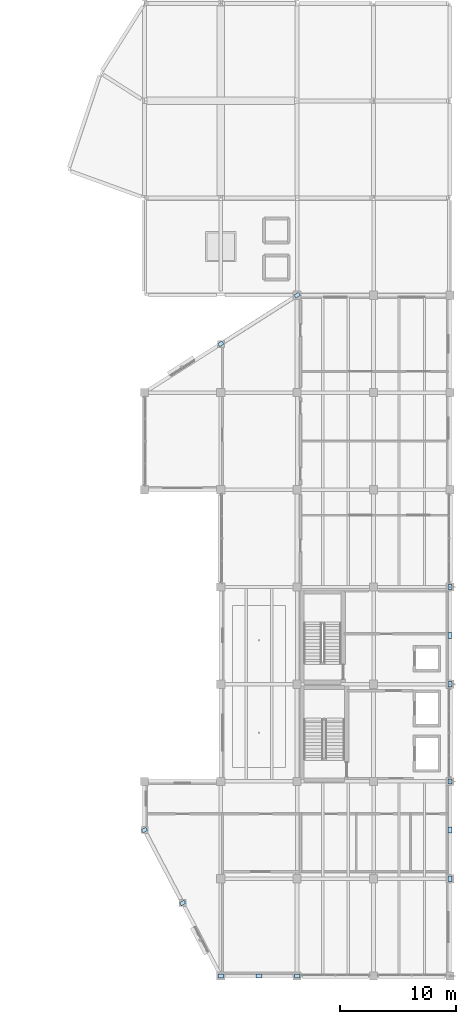
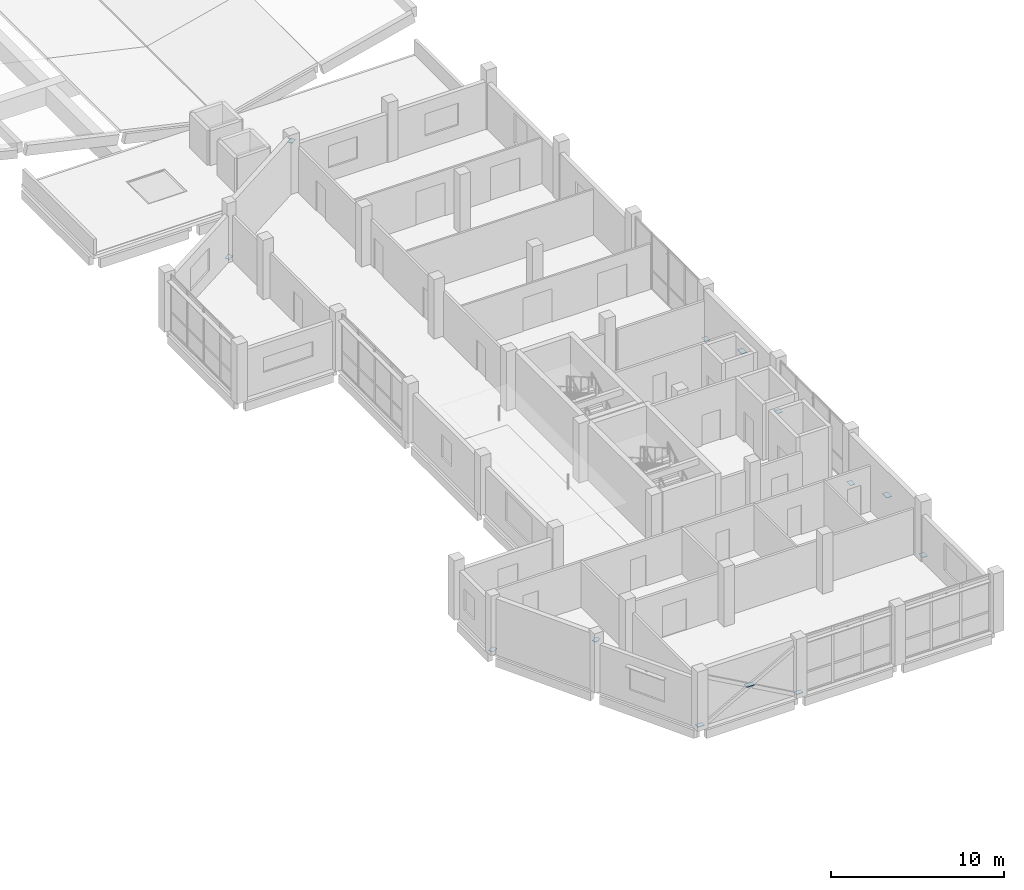
# One storey, part 35 of 47: 13 plates.
"""IFC4 building model written with IfcOpenShell, lengths in metres."""

from ifc_helpers import new_model, si_unit, direction, frame, origin, origin_2d, place, context, subcontext, project, spatial, rectangle, extrude, material, layer, layer_set, type_object, element, save


model = new_model("IFC4")

# Units and contexts
model_context = context("Model", 3, precision=1e-05, world=origin(), true_north=direction((0.0, 1.0)))
body_context = subcontext(model_context, "Body", "Model", "MODEL_VIEW")
ifc_project = project(units=[si_unit("LENGTHUNIT", "METRE"), si_unit("AREAUNIT", "SQUARE_METRE"), si_unit("VOLUMEUNIT", "CUBIC_METRE"), si_unit("PLANEANGLEUNIT", "RADIAN"), si_unit("MASSUNIT", "GRAM", prefix="KILO")], contexts=[model_context])

# Site, building, storey
site_placement = place(None, origin())
site = spatial("IfcSite", under=ifc_project, at=site_placement, CompositionType="ELEMENT")
building_placement = place(site_placement, origin())
building = spatial("IfcBuilding", under=site, at=building_placement, Name="Qaldarim Faculty of Natural and Applied Sciences", CompositionType="ELEMENT")
storey_placement = place(building_placement, frame((0.0, 0.0, 22.800048828125)))
storey = spatial("IfcBuildingStorey", under=building, at=storey_placement, Name="L05", CompositionType="ELEMENT", Elevation=22.800048828125)

# Plates
ifc_material = material(Name="Structural steel S355", Category="steel")
ifc_layer_1 = layer(ifc_material, 0.02001953125)
ifc_layer_set_1 = layer_set([ifc_layer_1], Name="Structural steel S355")
plate_type_1 = type_object("IfcPlateType", Name="GussetPlate-S355-450x320x20", PredefinedType="SHEET", material=ifc_layer_set_1)
for number, where, z_axis, x_axis, name in (
    (1, (158.39990234375, 0.0, 0.139892578125), (0.0, 0.0, 1.0), (1.0, 0.0, 0.0), "South diagrid L05 base gusset BL"),
    (2, (165.0, 0.0, 0.139892578125), (0.0, 0.0, 1.0), (1.0, 0.0, 0.0), "South diagrid L05 base gusset BR"),
    (3, (178.199951171875, 8.39990234375, 0.139892578125), (0.0, 0.0, 1.0), (0.0, 1.0, 0.0), "East diagrid L05 base gusset BL"),
    (4, (178.199951171875, 16.800048828125, 0.139892578125), (0.0, 0.0, 1.0), (0.0, 1.0, 0.0), "East diagrid L05 base gusset BR"),
    (5, (178.199951171875, 25.199951171875, 0.139892578125), (0.0, 0.0, 1.0), (0.0, 1.0, 0.0), "Upper east diagrid L05 base gusset BL"),
    (6, (178.199951171875, 33.60009765625, 0.139892578125), (0.0, 0.0, 1.0), (0.0, 1.0, 0.0), "Upper east diagrid L05 base gusset BR"),
    (7, (151.800048828125, 12.60009765625, 0.14990234375), (0.0, 0.0, 1.0), (0.882947592859, 0.469471562786, 0.0), "Oblique SW brace base plate L05 1"),
    (8, (155.10009765625, 6.300048828125, 3.510009765625), (0.0, 0.0, 1.0), (0.882947592859, 0.469471562786, 0.0), "Oblique SW brace head plate L05 1"),
    (9, (158.39990234375, 54.60009765625, 0.14990234375), (0.0, 0.0, 1.0), (0.838670567945, 0.544639035015, 0.0), "Oblique NW brace base plate L05"),
    (10, (165.0, 58.800048828125, 3.510009765625), (0.0, 0.0, 1.0), (0.838670567945, 0.544639035015, 0.0), "Oblique NW brace head plate L05"),
):
    element("IfcPlate", number, at=place(storey_placement, frame(where, z_axis=z_axis, x_axis=x_axis)), inside=storey, type_object=plate_type_1, Name=name, PredefinedType="SHEET", context=body_context, shape_type="SweptSolid", body=[
        extrude(rectangle(XDim=0.449951171875, YDim=0.320068359375, at=origin_2d()), origin(), (0.0, 0.0, 1.0), 0.02001953125),
    ])
ifc_layer_2 = layer(ifc_material, 0.030029296875)
ifc_layer_set_2 = layer_set([ifc_layer_2], Name="Structural steel S355")
plate_type_2 = type_object("IfcPlateType", Name="GussetPlate-S355-520x360x30", PredefinedType="SHEET", material=ifc_layer_set_2)
for number, where, z_axis, x_axis, name in (
    (11, (161.699951171875, 0.0, 1.82470703125), (0.0, 0.0, 1.0), (1.0, 0.0, 0.0), "South diagrid L05 X-crossing gusset plate"),
    (12, (178.199951171875, 12.60009765625, 1.82470703125), (0.0, 0.0, 1.0), (0.0, 1.0, 0.0), "East diagrid L05 X-crossing gusset plate"),
    (13, (178.199951171875, 29.39990234375, 1.82470703125), (0.0, 0.0, 1.0), (0.0, 1.0, 0.0), "Upper east diagrid L05 X-crossing gusset plate"),
):
    element("IfcPlate", number, at=place(storey_placement, frame(where, z_axis=z_axis, x_axis=x_axis)), inside=storey, type_object=plate_type_2, Name=name, PredefinedType="SHEET", context=body_context, shape_type="SweptSolid", body=[
        extrude(rectangle(XDim=0.52001953125, YDim=0.360107421875, at=origin_2d()), origin(), (0.0, 0.0, 1.0), 0.030029296875),
    ])

save(model, "model.ifc")
